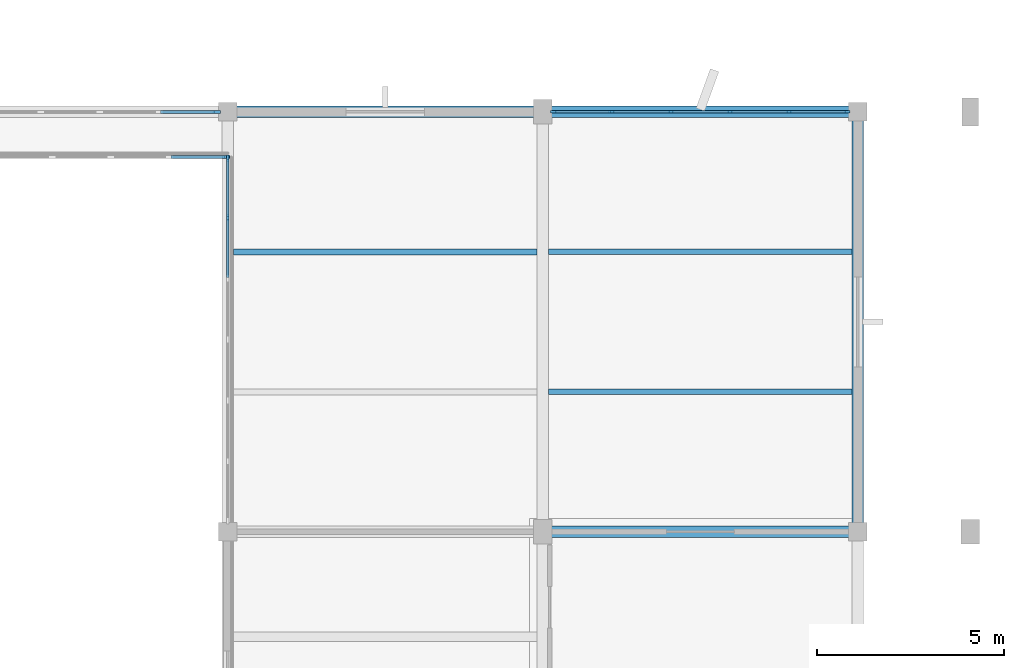
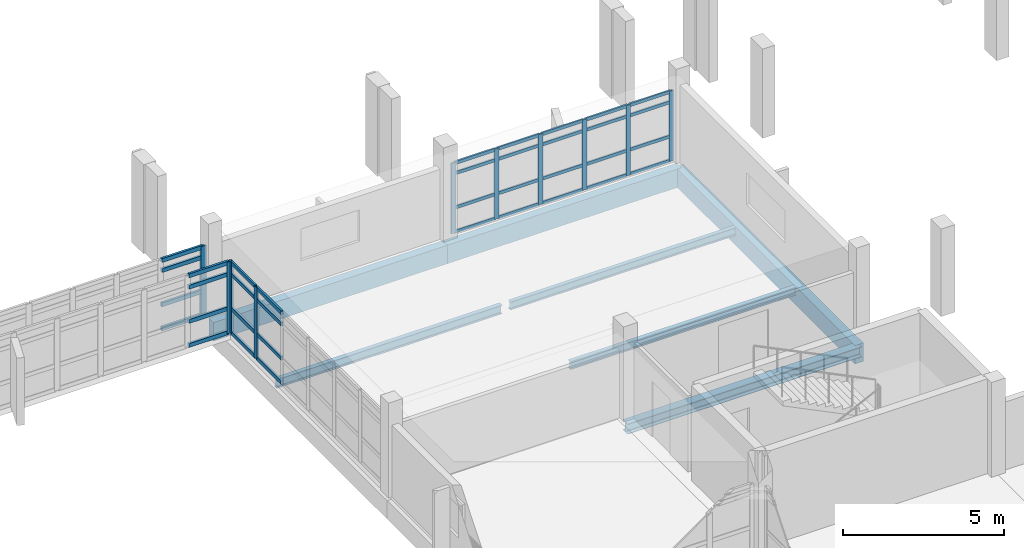
# One storey, part 36 of 104: 46 members, 7 beams, 4 elements without a shape of their own.
"""IFC4 building model written with IfcOpenShell, lengths in metres."""

from ifc_helpers import new_model, si_unit, direction, frame, origin, origin_2d, place, context, subcontext, project, spatial, rectangle, i_section, extrude, material, material_profile, profile_set, type_object, element, aggregate, save


model = new_model("IFC4")

# Units and contexts
model_context = context("Model", 3, precision=1e-05, world=origin(), true_north=direction((0.0, 1.0)))
body_context = subcontext(model_context, "Body", "Model", "MODEL_VIEW")
ifc_project = project(units=[si_unit("LENGTHUNIT", "METRE"), si_unit("AREAUNIT", "SQUARE_METRE"), si_unit("VOLUMEUNIT", "CUBIC_METRE"), si_unit("PLANEANGLEUNIT", "RADIAN"), si_unit("MASSUNIT", "GRAM", prefix="KILO")], contexts=[model_context])

# Site, building, storey
site_placement = place(None, origin())
site = spatial("IfcSite", under=ifc_project, at=site_placement, CompositionType="ELEMENT")
building_placement = place(site_placement, origin())
building = spatial("IfcBuilding", under=site, at=building_placement, Name="Vanh Quang Courtyard School", CompositionType="ELEMENT")
storey_placement = place(building_placement, frame((0.0, 0.0, 4.199951171875)))
storey = spatial("IfcBuildingStorey", under=building, at=storey_placement, Name="L01", CompositionType="ELEMENT", Elevation=4.199951171875)

# Beams
ifc_material_1 = material(Name="Concrete C35/45", Category="concrete")
ifc_material_profile_1 = material_profile(ifc_material_1, rectangle(XDim=0.300048828125, YDim=0.699951171875, at=origin_2d()), Name="RC-SP 300x700")
ifc_profile_set_1 = profile_set([ifc_material_profile_1], Name="Concrete C35/45")
beam_type_1 = type_object("IfcBeamType", Name="BM-SP-300x700", PredefinedType="SPANDREL", material=ifc_profile_set_1)
beam_1_placement = place(storey_placement, frame((21.0, 107.800048828125, -0.6298828125), z_axis=(1.0, 0.0, 0.0), x_axis=(0.0, 1.0, 0.0)))
element("IfcBeam", 1, at=beam_1_placement, inside=storey, type_object=beam_type_1, Name="Beam BS-01 (L01)", PredefinedType="SPANDREL", context=body_context, shape_type="SweptSolid", body=[
    extrude(rectangle(XDim=0.300048828125, YDim=0.699951171875, at=origin_2d()), origin(), (0.0, 0.0, 1.0), 8.39990234375),
])
beam_2_placement = place(storey_placement, frame((29.39990234375, 107.800048828125, -0.6298828125), z_axis=(1.0, 0.0, 0.0), x_axis=(0.0, 1.0, 0.0)))
element("IfcBeam", 2, at=beam_2_placement, inside=storey, type_object=beam_type_1, Name="Beam BS-01 (L01)", PredefinedType="SPANDREL", context=body_context, shape_type="SweptSolid", body=[
    extrude(rectangle(XDim=0.300048828125, YDim=0.699951171875, at=origin_2d()), origin(), (0.0, 0.0, 1.0), 8.400146484375),
])
beam_3_placement = place(storey_placement, frame((37.800048828125, 96.60009765625, -0.6298828125), z_axis=(0.0, 1.0, 0.0), x_axis=(-1.0, 0.0, 0.0)))
element("IfcBeam", 3, at=beam_3_placement, inside=storey, type_object=beam_type_1, Name="Beam BS-01 (L01)", PredefinedType="SPANDREL", context=body_context, shape_type="SweptSolid", body=[
    extrude(rectangle(XDim=0.300048828125, YDim=0.699951171875, at=origin_2d()), origin(), (0.0, 0.0, 1.0), 11.199951171875),
])
ifc_material_2 = material(Name="Structural steel EN 10025-2 S355J2", Category="steel")
ifc_material_profile_2 = material_profile(ifc_material_2, i_section(OverallWidth=0.300048828125, OverallDepth=0.389892578125, WebThickness=0.010986328125, FlangeThickness=0.01904296875, FilletRadius=0.027099609375, at=origin_2d()), Name="HEA 400")
ifc_profile_set_2 = profile_set([ifc_material_profile_2], Name="Structural steel EN 10025-2 S355J2")
beam_type_2 = type_object("IfcBeamType", Name="BM-STL-HEA400", PredefinedType="BEAM", material=ifc_profile_set_2)
beam_4_placement = place(storey_placement, frame((29.39990234375, 96.60009765625, -0.474853515625), z_axis=(1.0, 0.0, 0.0), x_axis=(0.0, 1.0, 0.0)))
element("IfcBeam", 4, at=beam_4_placement, inside=storey, type_object=beam_type_2, Name="Beam SB-08 (L01)", PredefinedType="BEAM", context=body_context, shape_type="SweptSolid", body=[
    extrude(i_section(OverallWidth=0.300048828125, OverallDepth=0.389892578125, WebThickness=0.010986328125, FlangeThickness=0.01904296875, FilletRadius=0.027099609375, at=origin_2d()), origin(), (0.0, 0.0, 1.0), 8.400146484375),
])

# Curtain wall, members
ifc_material_3 = material(Name="Thermally broken aluminium unitised curtain wall", Category="aluminium")
curtain_wall_type_1 = type_object("IfcCurtainWallType", Name="CW-SYS-23", PredefinedType="NOTDEFINED", material=ifc_material_3)
curtain_wall_1_placement = place(storey_placement, origin())
curtain_wall_1 = element("IfcCurtainWall", 5, at=curtain_wall_1_placement, inside=storey, type_object=curtain_wall_type_1, Name="Curtain Wall CW-23 (L01)", PredefinedType="NOTDEFINED")
ifc_material_4 = material(Name="Anodised aluminium 6063-T6", Category="aluminium")
ifc_material_profile_3 = material_profile(ifc_material_4, rectangle(XDim=0.06005859375, YDim=0.159912109375, at=origin_2d()), Name="ALU-MUL 60x160")
ifc_profile_set_3 = profile_set([ifc_material_profile_3], Name="Anodised aluminium 6063-T6")
member_type_1 = type_object("IfcMemberType", Name="CW-MUL-60x160", PredefinedType="MULLION", material=ifc_profile_set_3)
member_1_placement = place(storey_placement, frame((29.68798828125, 107.800048828125, 0.0), z_axis=(0.0, 0.0, 1.0), x_axis=(0.0, 1.0, 0.0)))
member_1 = element("IfcMember", 6, at=member_1_placement, type_object=member_type_1, Name="CW-23 mullion 1", PredefinedType="MULLION", context=body_context, shape_type="SweptSolid", body=[
    extrude(rectangle(XDim=0.06005859375, YDim=0.159912109375, at=origin_2d()), origin(), (0.0, 0.0, 1.0), 2.670166015625),
])
member_2_placement = place(storey_placement, frame((31.23486328125, 107.800048828125, 0.0), z_axis=(0.0, 0.0, 1.0), x_axis=(0.0, 1.0, 0.0)))
member_2 = element("IfcMember", 7, at=member_2_placement, type_object=member_type_1, Name="CW-23 mullion 2", PredefinedType="MULLION", context=body_context, shape_type="SweptSolid", body=[
    extrude(rectangle(XDim=0.06005859375, YDim=0.159912109375, at=origin_2d()), origin(), (0.0, 0.0, 1.0), 2.670166015625),
])
member_3_placement = place(storey_placement, frame((32.8115234375, 107.800048828125, 0.0), z_axis=(0.0, 0.0, 1.0), x_axis=(0.0, 1.0, 0.0)))
member_3 = element("IfcMember", 8, at=member_3_placement, type_object=member_type_1, Name="CW-23 mullion 3", PredefinedType="MULLION", context=body_context, shape_type="SweptSolid", body=[
    extrude(rectangle(XDim=0.06005859375, YDim=0.159912109375, at=origin_2d()), origin(), (0.0, 0.0, 1.0), 2.670166015625),
])
member_4_placement = place(storey_placement, frame((34.388427734375, 107.800048828125, 0.0), z_axis=(0.0, 0.0, 1.0), x_axis=(0.0, 1.0, 0.0)))
member_4 = element("IfcMember", 9, at=member_4_placement, type_object=member_type_1, Name="CW-23 mullion 4", PredefinedType="MULLION", context=body_context, shape_type="SweptSolid", body=[
    extrude(rectangle(XDim=0.06005859375, YDim=0.159912109375, at=origin_2d()), origin(), (0.0, 0.0, 1.0), 2.670166015625),
])
member_5_placement = place(storey_placement, frame((35.965087890625, 107.800048828125, 0.0), z_axis=(0.0, 0.0, 1.0), x_axis=(0.0, 1.0, 0.0)))
member_5 = element("IfcMember", 10, at=member_5_placement, type_object=member_type_1, Name="CW-23 mullion 5", PredefinedType="MULLION", context=body_context, shape_type="SweptSolid", body=[
    extrude(rectangle(XDim=0.06005859375, YDim=0.159912109375, at=origin_2d()), origin(), (0.0, 0.0, 1.0), 2.670166015625),
])
member_6_placement = place(storey_placement, frame((37.511962890625, 107.800048828125, 0.0), z_axis=(0.0, 0.0, 1.0), x_axis=(0.0, 1.0, 0.0)))
member_6 = element("IfcMember", 11, at=member_6_placement, type_object=member_type_1, Name="CW-23 mullion 6", PredefinedType="MULLION", context=body_context, shape_type="SweptSolid", body=[
    extrude(rectangle(XDim=0.06005859375, YDim=0.159912109375, at=origin_2d()), origin(), (0.0, 0.0, 1.0), 2.670166015625),
])

curtain_wall_type_2 = type_object("IfcCurtainWallType", Name="CW-SYS-36", PredefinedType="NOTDEFINED", material=ifc_material_3)
curtain_wall_2_placement = place(storey_placement, origin())
curtain_wall_2 = element("IfcCurtainWall", 12, at=curtain_wall_2_placement, inside=storey, type_object=curtain_wall_type_2, Name="Curtain Wall CW-36 (L01)", PredefinedType="NOTDEFINED")
ifc_material_profile_4 = material_profile(ifc_material_4, rectangle(XDim=0.070068359375, YDim=0.179931640625, at=origin_2d()), Name="ALU-MUL 70x180")
ifc_profile_set_4 = profile_set([ifc_material_profile_4], Name="Anodised aluminium 6063-T6")
member_type_2 = type_object("IfcMemberType", Name="CW-MUL-70x180", PredefinedType="MULLION", material=ifc_profile_set_4)
member_7_placement = place(storey_placement, frame((21.0, 104.976318359375, 0.0), z_axis=(0.0, 0.0, 1.0), x_axis=(-1.0, 0.0, 0.0)))
member_7 = element("IfcMember", 13, at=member_7_placement, type_object=member_type_2, Name="CW-36 mullion 6", PredefinedType="MULLION", context=body_context, shape_type="SweptSolid", body=[
    extrude(rectangle(XDim=0.070068359375, YDim=0.179931640625, at=origin_2d()), origin(), (0.0, 0.0, 1.0), 2.719970703125),
])
member_8_placement = place(storey_placement, frame((21.0, 106.56494140625, 0.0), z_axis=(0.0, 0.0, 1.0), x_axis=(-1.0, 0.0, 0.0)))
member_8 = element("IfcMember", 14, at=member_8_placement, type_object=member_type_2, Name="CW-36 mullion 7", PredefinedType="MULLION", context=body_context, shape_type="SweptSolid", body=[
    extrude(rectangle(XDim=0.070068359375, YDim=0.179931640625, at=origin_2d()), origin(), (0.0, 0.0, 1.0), 2.719970703125),
])

# Curtain wall, member
curtain_wall_3_placement = place(storey_placement, origin())
curtain_wall_3 = element("IfcCurtainWall", 15, at=curtain_wall_3_placement, inside=storey, type_object=curtain_wall_type_1, Name="Curtain Wall CW-23 (L01)", PredefinedType="NOTDEFINED")
ifc_material_profile_5 = material_profile(ifc_material_4, rectangle(XDim=0.080078125, YDim=0.199951171875, at=origin_2d()), Name="ALU-MUL 80x200")
ifc_profile_set_5 = profile_set([ifc_material_profile_5], Name="Anodised aluminium 6063-T6")
member_type_3 = type_object("IfcMemberType", Name="CW-MUL-80x200", PredefinedType="MULLION", material=ifc_profile_set_5)
member_9_placement = place(storey_placement, frame((20.701904296875, 107.800048828125, 0.0), z_axis=(0.0, 0.0, 1.0), x_axis=(0.0, 1.0, 0.0)))
member_9 = element("IfcMember", 16, at=member_9_placement, type_object=member_type_3, Name="CW-23 mullion 6", PredefinedType="MULLION", context=body_context, shape_type="SweptSolid", body=[
    extrude(rectangle(XDim=0.080078125, YDim=0.199951171875, at=origin_2d()), origin(), (0.0, 0.0, 1.0), 2.670166015625),
])

curtain_wall_type_3 = type_object("IfcCurtainWallType", Name="CW-SYS-35", PredefinedType="NOTDEFINED", material=ifc_material_3)
curtain_wall_4_placement = place(storey_placement, origin())
curtain_wall_4 = element("IfcCurtainWall", 17, at=curtain_wall_4_placement, inside=storey, type_object=curtain_wall_type_3, Name="Curtain Wall CW-35 (L01)", PredefinedType="NOTDEFINED")
member_10_placement = place(storey_placement, frame((20.9599609375, 106.60009765625, 0.0), z_axis=(0.0, 0.0, 1.0), x_axis=(0.0, -1.0, 0.0)))
member_10 = element("IfcMember", 18, at=member_10_placement, type_object=member_type_3, Name="CW-35 mullion 1", PredefinedType="MULLION", context=body_context, shape_type="SweptSolid", body=[
    extrude(rectangle(XDim=0.080078125, YDim=0.199951171875, at=origin_2d()), origin(), (0.0, 0.0, 1.0), 2.719970703125),
])

# Member
ifc_material_profile_6 = material_profile(ifc_material_4, rectangle(XDim=0.06005859375, YDim=0.1201171875, at=origin_2d()), Name="ALU-TRN 60x120")
ifc_profile_set_6 = profile_set([ifc_material_profile_6], Name="Anodised aluminium 6063-T6")
member_type_4 = type_object("IfcMemberType", Name="CW-TRN-60x120", PredefinedType="USERDEFINED", material=ifc_profile_set_6)
member_11_placement = place(storey_placement, frame((29.718017578125, 107.800048828125, 0.030029296875), z_axis=(1.0, 0.0, 0.0), x_axis=(0.0, 1.0, 0.0)))
member_11 = element("IfcMember", 19, at=member_11_placement, type_object=member_type_4, Name="CW-23 transom 1.1", ObjectType="TRANSOM", PredefinedType="USERDEFINED", context=body_context, shape_type="SweptSolid", body=[
    extrude(rectangle(XDim=0.06005859375, YDim=0.1201171875, at=origin_2d()), origin(), (0.0, 0.0, 1.0), 1.48681640625),
])

member_12_placement = place(storey_placement, frame((29.718017578125, 107.800048828125, 0.949951171875), z_axis=(1.0, 0.0, 0.0), x_axis=(0.0, 1.0, 0.0)))
member_12 = element("IfcMember", 20, at=member_12_placement, type_object=member_type_4, Name="CW-23 transom 1.2", ObjectType="TRANSOM", PredefinedType="USERDEFINED", context=body_context, shape_type="SweptSolid", body=[
    extrude(rectangle(XDim=0.06005859375, YDim=0.1201171875, at=origin_2d()), origin(), (0.0, 0.0, 1.0), 1.48681640625),
])

member_13_placement = place(storey_placement, frame((29.718017578125, 107.800048828125, 2.25), z_axis=(1.0, 0.0, 0.0), x_axis=(0.0, 1.0, 0.0)))
member_13 = element("IfcMember", 21, at=member_13_placement, type_object=member_type_4, Name="CW-23 transom 1.3", ObjectType="TRANSOM", PredefinedType="USERDEFINED", context=body_context, shape_type="SweptSolid", body=[
    extrude(rectangle(XDim=0.06005859375, YDim=0.1201171875, at=origin_2d()), origin(), (0.0, 0.0, 1.0), 1.48681640625),
])

member_14_placement = place(storey_placement, frame((29.718017578125, 107.800048828125, 2.64013671875), z_axis=(1.0, 0.0, 0.0), x_axis=(0.0, 1.0, 0.0)))
member_14 = element("IfcMember", 22, at=member_14_placement, type_object=member_type_4, Name="CW-23 transom 1.4", ObjectType="TRANSOM", PredefinedType="USERDEFINED", context=body_context, shape_type="SweptSolid", body=[
    extrude(rectangle(XDim=0.06005859375, YDim=0.1201171875, at=origin_2d()), origin(), (0.0, 0.0, 1.0), 1.48681640625),
])

member_15_placement = place(storey_placement, frame((31.264892578125, 107.800048828125, 0.030029296875), z_axis=(1.0, 0.0, 0.0), x_axis=(0.0, 1.0, 0.0)))
member_15 = element("IfcMember", 23, at=member_15_placement, type_object=member_type_4, Name="CW-23 transom 2.1", ObjectType="TRANSOM", PredefinedType="USERDEFINED", context=body_context, shape_type="SweptSolid", body=[
    extrude(rectangle(XDim=0.06005859375, YDim=0.1201171875, at=origin_2d()), origin(), (0.0, 0.0, 1.0), 1.5166015625),
])

member_16_placement = place(storey_placement, frame((31.264892578125, 107.800048828125, 0.949951171875), z_axis=(1.0, 0.0, 0.0), x_axis=(0.0, 1.0, 0.0)))
member_16 = element("IfcMember", 24, at=member_16_placement, type_object=member_type_4, Name="CW-23 transom 2.2", ObjectType="TRANSOM", PredefinedType="USERDEFINED", context=body_context, shape_type="SweptSolid", body=[
    extrude(rectangle(XDim=0.06005859375, YDim=0.1201171875, at=origin_2d()), origin(), (0.0, 0.0, 1.0), 1.5166015625),
])

member_17_placement = place(storey_placement, frame((31.264892578125, 107.800048828125, 2.25), z_axis=(1.0, 0.0, 0.0), x_axis=(0.0, 1.0, 0.0)))
member_17 = element("IfcMember", 25, at=member_17_placement, type_object=member_type_4, Name="CW-23 transom 2.3", ObjectType="TRANSOM", PredefinedType="USERDEFINED", context=body_context, shape_type="SweptSolid", body=[
    extrude(rectangle(XDim=0.06005859375, YDim=0.1201171875, at=origin_2d()), origin(), (0.0, 0.0, 1.0), 1.5166015625),
])

member_18_placement = place(storey_placement, frame((31.264892578125, 107.800048828125, 2.64013671875), z_axis=(1.0, 0.0, 0.0), x_axis=(0.0, 1.0, 0.0)))
member_18 = element("IfcMember", 26, at=member_18_placement, type_object=member_type_4, Name="CW-23 transom 2.4", ObjectType="TRANSOM", PredefinedType="USERDEFINED", context=body_context, shape_type="SweptSolid", body=[
    extrude(rectangle(XDim=0.06005859375, YDim=0.1201171875, at=origin_2d()), origin(), (0.0, 0.0, 1.0), 1.5166015625),
])

member_19_placement = place(storey_placement, frame((32.841552734375, 107.800048828125, 0.030029296875), z_axis=(1.0, 0.0, 0.0), x_axis=(0.0, 1.0, 0.0)))
member_19 = element("IfcMember", 27, at=member_19_placement, type_object=member_type_4, Name="CW-23 transom 3.1", ObjectType="TRANSOM", PredefinedType="USERDEFINED", context=body_context, shape_type="SweptSolid", body=[
    extrude(rectangle(XDim=0.06005859375, YDim=0.1201171875, at=origin_2d()), origin(), (0.0, 0.0, 1.0), 1.516845703125),
])

member_20_placement = place(storey_placement, frame((32.841552734375, 107.800048828125, 0.949951171875), z_axis=(1.0, 0.0, 0.0), x_axis=(0.0, 1.0, 0.0)))
member_20 = element("IfcMember", 28, at=member_20_placement, type_object=member_type_4, Name="CW-23 transom 3.2", ObjectType="TRANSOM", PredefinedType="USERDEFINED", context=body_context, shape_type="SweptSolid", body=[
    extrude(rectangle(XDim=0.06005859375, YDim=0.1201171875, at=origin_2d()), origin(), (0.0, 0.0, 1.0), 1.516845703125),
])

member_21_placement = place(storey_placement, frame((32.841552734375, 107.800048828125, 2.25), z_axis=(1.0, 0.0, 0.0), x_axis=(0.0, 1.0, 0.0)))
member_21 = element("IfcMember", 29, at=member_21_placement, type_object=member_type_4, Name="CW-23 transom 3.3", ObjectType="TRANSOM", PredefinedType="USERDEFINED", context=body_context, shape_type="SweptSolid", body=[
    extrude(rectangle(XDim=0.06005859375, YDim=0.1201171875, at=origin_2d()), origin(), (0.0, 0.0, 1.0), 1.516845703125),
])

member_22_placement = place(storey_placement, frame((32.841552734375, 107.800048828125, 2.64013671875), z_axis=(1.0, 0.0, 0.0), x_axis=(0.0, 1.0, 0.0)))
member_22 = element("IfcMember", 30, at=member_22_placement, type_object=member_type_4, Name="CW-23 transom 3.4", ObjectType="TRANSOM", PredefinedType="USERDEFINED", context=body_context, shape_type="SweptSolid", body=[
    extrude(rectangle(XDim=0.06005859375, YDim=0.1201171875, at=origin_2d()), origin(), (0.0, 0.0, 1.0), 1.516845703125),
])

member_23_placement = place(storey_placement, frame((34.41845703125, 107.800048828125, 0.030029296875), z_axis=(1.0, 0.0, 0.0), x_axis=(0.0, 1.0, 0.0)))
member_23 = element("IfcMember", 31, at=member_23_placement, type_object=member_type_4, Name="CW-23 transom 4.1", ObjectType="TRANSOM", PredefinedType="USERDEFINED", context=body_context, shape_type="SweptSolid", body=[
    extrude(rectangle(XDim=0.06005859375, YDim=0.1201171875, at=origin_2d()), origin(), (0.0, 0.0, 1.0), 1.516845703125),
])

member_24_placement = place(storey_placement, frame((34.41845703125, 107.800048828125, 0.949951171875), z_axis=(1.0, 0.0, 0.0), x_axis=(0.0, 1.0, 0.0)))
member_24 = element("IfcMember", 32, at=member_24_placement, type_object=member_type_4, Name="CW-23 transom 4.2", ObjectType="TRANSOM", PredefinedType="USERDEFINED", context=body_context, shape_type="SweptSolid", body=[
    extrude(rectangle(XDim=0.06005859375, YDim=0.1201171875, at=origin_2d()), origin(), (0.0, 0.0, 1.0), 1.516845703125),
])

member_25_placement = place(storey_placement, frame((34.41845703125, 107.800048828125, 2.25), z_axis=(1.0, 0.0, 0.0), x_axis=(0.0, 1.0, 0.0)))
member_25 = element("IfcMember", 33, at=member_25_placement, type_object=member_type_4, Name="CW-23 transom 4.3", ObjectType="TRANSOM", PredefinedType="USERDEFINED", context=body_context, shape_type="SweptSolid", body=[
    extrude(rectangle(XDim=0.06005859375, YDim=0.1201171875, at=origin_2d()), origin(), (0.0, 0.0, 1.0), 1.516845703125),
])

member_26_placement = place(storey_placement, frame((34.41845703125, 107.800048828125, 2.64013671875), z_axis=(1.0, 0.0, 0.0), x_axis=(0.0, 1.0, 0.0)))
member_26 = element("IfcMember", 34, at=member_26_placement, type_object=member_type_4, Name="CW-23 transom 4.4", ObjectType="TRANSOM", PredefinedType="USERDEFINED", context=body_context, shape_type="SweptSolid", body=[
    extrude(rectangle(XDim=0.06005859375, YDim=0.1201171875, at=origin_2d()), origin(), (0.0, 0.0, 1.0), 1.516845703125),
])

member_27_placement = place(storey_placement, frame((35.9951171875, 107.800048828125, 0.030029296875), z_axis=(1.0, 0.0, 0.0), x_axis=(0.0, 1.0, 0.0)))
member_27 = element("IfcMember", 35, at=member_27_placement, type_object=member_type_4, Name="CW-23 transom 5.1", ObjectType="TRANSOM", PredefinedType="USERDEFINED", context=body_context, shape_type="SweptSolid", body=[
    extrude(rectangle(XDim=0.06005859375, YDim=0.1201171875, at=origin_2d()), origin(), (0.0, 0.0, 1.0), 1.48681640625),
])

member_28_placement = place(storey_placement, frame((35.9951171875, 107.800048828125, 0.949951171875), z_axis=(1.0, 0.0, 0.0), x_axis=(0.0, 1.0, 0.0)))
member_28 = element("IfcMember", 36, at=member_28_placement, type_object=member_type_4, Name="CW-23 transom 5.2", ObjectType="TRANSOM", PredefinedType="USERDEFINED", context=body_context, shape_type="SweptSolid", body=[
    extrude(rectangle(XDim=0.06005859375, YDim=0.1201171875, at=origin_2d()), origin(), (0.0, 0.0, 1.0), 1.48681640625),
])

member_29_placement = place(storey_placement, frame((35.9951171875, 107.800048828125, 2.25), z_axis=(1.0, 0.0, 0.0), x_axis=(0.0, 1.0, 0.0)))
member_29 = element("IfcMember", 37, at=member_29_placement, type_object=member_type_4, Name="CW-23 transom 5.3", ObjectType="TRANSOM", PredefinedType="USERDEFINED", context=body_context, shape_type="SweptSolid", body=[
    extrude(rectangle(XDim=0.06005859375, YDim=0.1201171875, at=origin_2d()), origin(), (0.0, 0.0, 1.0), 1.48681640625),
])

member_30_placement = place(storey_placement, frame((35.9951171875, 107.800048828125, 2.64013671875), z_axis=(1.0, 0.0, 0.0), x_axis=(0.0, 1.0, 0.0)))
member_30 = element("IfcMember", 38, at=member_30_placement, type_object=member_type_4, Name="CW-23 transom 5.4", ObjectType="TRANSOM", PredefinedType="USERDEFINED", context=body_context, shape_type="SweptSolid", body=[
    extrude(rectangle(XDim=0.06005859375, YDim=0.1201171875, at=origin_2d()), origin(), (0.0, 0.0, 1.0), 1.48681640625),
])

aggregate(curtain_wall_1, [member_1, member_2, member_3, member_4, member_5, member_6, member_11, member_12, member_13, member_14, member_15, member_16, member_17, member_18, member_19, member_20, member_21, member_22, member_23, member_24, member_25, member_26, member_27, member_28, member_29, member_30])

ifc_material_profile_7 = material_profile(ifc_material_4, rectangle(XDim=0.070068359375, YDim=0.139892578125, at=origin_2d()), Name="ALU-TRN 70x140")
ifc_profile_set_7 = profile_set([ifc_material_profile_7], Name="Anodised aluminium 6063-T6")
member_type_5 = type_object("IfcMemberType", Name="CW-TRN-70x140", PredefinedType="USERDEFINED", material=ifc_profile_set_7)
member_31_placement = place(storey_placement, frame((21.0, 103.3876953125, 0.03515625), z_axis=(0.0, 1.0, 0.0), x_axis=(-1.0, 0.0, 0.0)))
member_31 = element("IfcMember", 39, at=member_31_placement, type_object=member_type_5, Name="CW-36 transom 5.1", ObjectType="TRANSOM", PredefinedType="USERDEFINED", context=body_context, shape_type="SweptSolid", body=[
    extrude(rectangle(XDim=0.070068359375, YDim=0.139892578125, at=origin_2d()), origin(), (0.0, 0.0, 1.0), 1.5537109375),
])

member_32_placement = place(storey_placement, frame((21.0, 103.3876953125, 0.949951171875), z_axis=(0.0, 1.0, 0.0), x_axis=(-1.0, 0.0, 0.0)))
member_32 = element("IfcMember", 40, at=member_32_placement, type_object=member_type_5, Name="CW-36 transom 5.2", ObjectType="TRANSOM", PredefinedType="USERDEFINED", context=body_context, shape_type="SweptSolid", body=[
    extrude(rectangle(XDim=0.070068359375, YDim=0.139892578125, at=origin_2d()), origin(), (0.0, 0.0, 1.0), 1.5537109375),
])

member_33_placement = place(storey_placement, frame((21.0, 103.3876953125, 2.25), z_axis=(0.0, 1.0, 0.0), x_axis=(-1.0, 0.0, 0.0)))
member_33 = element("IfcMember", 41, at=member_33_placement, type_object=member_type_5, Name="CW-36 transom 5.3", ObjectType="TRANSOM", PredefinedType="USERDEFINED", context=body_context, shape_type="SweptSolid", body=[
    extrude(rectangle(XDim=0.070068359375, YDim=0.139892578125, at=origin_2d()), origin(), (0.0, 0.0, 1.0), 1.5537109375),
])

member_34_placement = place(storey_placement, frame((21.0, 103.3876953125, 2.68505859375), z_axis=(0.0, 1.0, 0.0), x_axis=(-1.0, 0.0, 0.0)))
member_34 = element("IfcMember", 42, at=member_34_placement, type_object=member_type_5, Name="CW-36 transom 5.4", ObjectType="TRANSOM", PredefinedType="USERDEFINED", context=body_context, shape_type="SweptSolid", body=[
    extrude(rectangle(XDim=0.070068359375, YDim=0.139892578125, at=origin_2d()), origin(), (0.0, 0.0, 1.0), 1.5537109375),
])

member_35_placement = place(storey_placement, frame((21.0, 105.01123046875, 0.03515625), z_axis=(0.0, 1.0, 0.0), x_axis=(-1.0, 0.0, 0.0)))
member_35 = element("IfcMember", 43, at=member_35_placement, type_object=member_type_5, Name="CW-36 transom 6.1", ObjectType="TRANSOM", PredefinedType="USERDEFINED", context=body_context, shape_type="SweptSolid", body=[
    extrude(rectangle(XDim=0.070068359375, YDim=0.139892578125, at=origin_2d()), origin(), (0.0, 0.0, 1.0), 1.518798828125),
])

member_36_placement = place(storey_placement, frame((21.0, 105.01123046875, 0.949951171875), z_axis=(0.0, 1.0, 0.0), x_axis=(-1.0, 0.0, 0.0)))
member_36 = element("IfcMember", 44, at=member_36_placement, type_object=member_type_5, Name="CW-36 transom 6.2", ObjectType="TRANSOM", PredefinedType="USERDEFINED", context=body_context, shape_type="SweptSolid", body=[
    extrude(rectangle(XDim=0.070068359375, YDim=0.139892578125, at=origin_2d()), origin(), (0.0, 0.0, 1.0), 1.518798828125),
])

member_37_placement = place(storey_placement, frame((21.0, 105.01123046875, 2.25), z_axis=(0.0, 1.0, 0.0), x_axis=(-1.0, 0.0, 0.0)))
member_37 = element("IfcMember", 45, at=member_37_placement, type_object=member_type_5, Name="CW-36 transom 6.3", ObjectType="TRANSOM", PredefinedType="USERDEFINED", context=body_context, shape_type="SweptSolid", body=[
    extrude(rectangle(XDim=0.070068359375, YDim=0.139892578125, at=origin_2d()), origin(), (0.0, 0.0, 1.0), 1.518798828125),
])

member_38_placement = place(storey_placement, frame((21.0, 105.01123046875, 2.68505859375), z_axis=(0.0, 1.0, 0.0), x_axis=(-1.0, 0.0, 0.0)))
member_38 = element("IfcMember", 46, at=member_38_placement, type_object=member_type_5, Name="CW-36 transom 6.4", ObjectType="TRANSOM", PredefinedType="USERDEFINED", context=body_context, shape_type="SweptSolid", body=[
    extrude(rectangle(XDim=0.070068359375, YDim=0.139892578125, at=origin_2d()), origin(), (0.0, 0.0, 1.0), 1.518798828125),
])

aggregate(curtain_wall_2, [member_7, member_8, member_31, member_32, member_33, member_34, member_35, member_36, member_37, member_38])

ifc_material_profile_8 = material_profile(ifc_material_4, rectangle(XDim=0.080078125, YDim=0.14990234375, at=origin_2d()), Name="ALU-TRN 80x150")
ifc_profile_set_8 = profile_set([ifc_material_profile_8], Name="Anodised aluminium 6063-T6")
member_type_6 = type_object("IfcMemberType", Name="CW-TRN-80x150", PredefinedType="USERDEFINED", material=ifc_profile_set_8)
member_39_placement = place(storey_placement, frame((19.205078125, 107.800048828125, 0.0400390625), z_axis=(1.0, 0.0, 0.0), x_axis=(0.0, 1.0, 0.0)))
member_39 = element("IfcMember", 47, at=member_39_placement, type_object=member_type_6, Name="CW-23 transom 5.1", ObjectType="TRANSOM", PredefinedType="USERDEFINED", context=body_context, shape_type="SweptSolid", body=[
    extrude(rectangle(XDim=0.080078125, YDim=0.14990234375, at=origin_2d()), origin(), (0.0, 0.0, 1.0), 1.45703125),
])

member_40_placement = place(storey_placement, frame((19.205078125, 107.800048828125, 0.949951171875), z_axis=(1.0, 0.0, 0.0), x_axis=(0.0, 1.0, 0.0)))
member_40 = element("IfcMember", 48, at=member_40_placement, type_object=member_type_6, Name="CW-23 transom 5.2", ObjectType="TRANSOM", PredefinedType="USERDEFINED", context=body_context, shape_type="SweptSolid", body=[
    extrude(rectangle(XDim=0.080078125, YDim=0.14990234375, at=origin_2d()), origin(), (0.0, 0.0, 1.0), 1.45703125),
])

member_41_placement = place(storey_placement, frame((19.205078125, 107.800048828125, 2.25), z_axis=(1.0, 0.0, 0.0), x_axis=(0.0, 1.0, 0.0)))
member_41 = element("IfcMember", 49, at=member_41_placement, type_object=member_type_6, Name="CW-23 transom 5.3", ObjectType="TRANSOM", PredefinedType="USERDEFINED", context=body_context, shape_type="SweptSolid", body=[
    extrude(rectangle(XDim=0.080078125, YDim=0.14990234375, at=origin_2d()), origin(), (0.0, 0.0, 1.0), 1.45703125),
])

member_42_placement = place(storey_placement, frame((19.205078125, 107.800048828125, 2.630126953125), z_axis=(1.0, 0.0, 0.0), x_axis=(0.0, 1.0, 0.0)))
member_42 = element("IfcMember", 50, at=member_42_placement, type_object=member_type_6, Name="CW-23 transom 5.4", ObjectType="TRANSOM", PredefinedType="USERDEFINED", context=body_context, shape_type="SweptSolid", body=[
    extrude(rectangle(XDim=0.080078125, YDim=0.14990234375, at=origin_2d()), origin(), (0.0, 0.0, 1.0), 1.45703125),
])

aggregate(curtain_wall_3, [member_9, member_39, member_40, member_41, member_42])

member_43_placement = place(storey_placement, frame((20.919921875, 106.60009765625, 0.0400390625), z_axis=(-1.0, 0.0, 0.0), x_axis=(0.0, -1.0, 0.0)))
member_43 = element("IfcMember", 51, at=member_43_placement, type_object=member_type_6, Name="CW-35 transom 1.1", ObjectType="TRANSOM", PredefinedType="USERDEFINED", context=body_context, shape_type="SweptSolid", body=[
    extrude(rectangle(XDim=0.080078125, YDim=0.14990234375, at=origin_2d()), origin(), (0.0, 0.0, 1.0), 1.43994140625),
])

member_44_placement = place(storey_placement, frame((20.919921875, 106.60009765625, 0.949951171875), z_axis=(-1.0, 0.0, 0.0), x_axis=(0.0, -1.0, 0.0)))
member_44 = element("IfcMember", 52, at=member_44_placement, type_object=member_type_6, Name="CW-35 transom 1.2", ObjectType="TRANSOM", PredefinedType="USERDEFINED", context=body_context, shape_type="SweptSolid", body=[
    extrude(rectangle(XDim=0.080078125, YDim=0.14990234375, at=origin_2d()), origin(), (0.0, 0.0, 1.0), 1.43994140625),
])

member_45_placement = place(storey_placement, frame((20.919921875, 106.60009765625, 2.25), z_axis=(-1.0, 0.0, 0.0), x_axis=(0.0, -1.0, 0.0)))
member_45 = element("IfcMember", 53, at=member_45_placement, type_object=member_type_6, Name="CW-35 transom 1.3", ObjectType="TRANSOM", PredefinedType="USERDEFINED", context=body_context, shape_type="SweptSolid", body=[
    extrude(rectangle(XDim=0.080078125, YDim=0.14990234375, at=origin_2d()), origin(), (0.0, 0.0, 1.0), 1.43994140625),
])

member_46_placement = place(storey_placement, frame((20.919921875, 106.60009765625, 2.679931640625), z_axis=(-1.0, 0.0, 0.0), x_axis=(0.0, -1.0, 0.0)))
member_46 = element("IfcMember", 54, at=member_46_placement, type_object=member_type_6, Name="CW-35 transom 1.4", ObjectType="TRANSOM", PredefinedType="USERDEFINED", context=body_context, shape_type="SweptSolid", body=[
    extrude(rectangle(XDim=0.080078125, YDim=0.14990234375, at=origin_2d()), origin(), (0.0, 0.0, 1.0), 1.43994140625),
])

aggregate(curtain_wall_4, [member_10, member_43, member_44, member_45, member_46])

# Beams
ifc_material_profile_9 = material_profile(ifc_material_2, i_section(OverallWidth=0.14990234375, OverallDepth=0.300048828125, WebThickness=0.007080078125, FlangeThickness=0.0107421875, FilletRadius=0.014892578125, at=origin_2d()), Name="IPE 300")
ifc_profile_set_9 = profile_set([ifc_material_profile_9], Name="Structural steel EN 10025-2 S355J2")
beam_type_3 = type_object("IfcBeamType", Name="JST-STL-IPE300", PredefinedType="JOIST", material=ifc_profile_set_9)
for number, where, z_axis, x_axis, name in (
    (55, (29.550048828125, 100.333251953125, -0.429931640625), (1.0, 0.0, 0.0), (0.0, 1.0, 0.0), "Beam SJ-02 (L01)"),
    (56, (29.550048828125, 104.066650390625, -0.429931640625), (1.0, 0.0, 0.0), (0.0, 1.0, 0.0), "Beam SJ-02 (L01)"),
):
    element("IfcBeam", number, at=place(storey_placement, frame(where, z_axis=z_axis, x_axis=x_axis)), inside=storey, type_object=beam_type_3, Name=name, PredefinedType="JOIST", context=body_context, shape_type="SweptSolid", body=[
        extrude(i_section(OverallWidth=0.14990234375, OverallDepth=0.300048828125, WebThickness=0.007080078125, FlangeThickness=0.0107421875, FilletRadius=0.014892578125, at=origin_2d()), origin(), (0.0, 0.0, 1.0), 8.099853515625),
    ])
ifc_material_profile_10 = material_profile(ifc_material_2, i_section(OverallWidth=0.159912109375, OverallDepth=0.330078125, WebThickness=0.007568359375, FlangeThickness=0.011474609375, FilletRadius=0.01806640625, at=origin_2d()), Name="IPE 330")
ifc_profile_set_10 = profile_set([ifc_material_profile_10], Name="Structural steel EN 10025-2 S355J2")
beam_type_4 = type_object("IfcBeamType", Name="JST-STL-IPE330", PredefinedType="JOIST", material=ifc_profile_set_10)
beam_5_placement = place(storey_placement, frame((21.14990234375, 104.066650390625, -0.445068359375), z_axis=(1.0, 0.0, 0.0), x_axis=(0.0, 1.0, 0.0)))
element("IfcBeam", 57, at=beam_5_placement, inside=storey, type_object=beam_type_4, Name="Beam SJ-01 (L01)", PredefinedType="JOIST", context=body_context, shape_type="SweptSolid", body=[
    extrude(i_section(OverallWidth=0.159912109375, OverallDepth=0.330078125, WebThickness=0.007568359375, FlangeThickness=0.011474609375, FilletRadius=0.01806640625, at=origin_2d()), origin(), (0.0, 0.0, 1.0), 8.10009765625),
])

save(model, "model.ifc")
